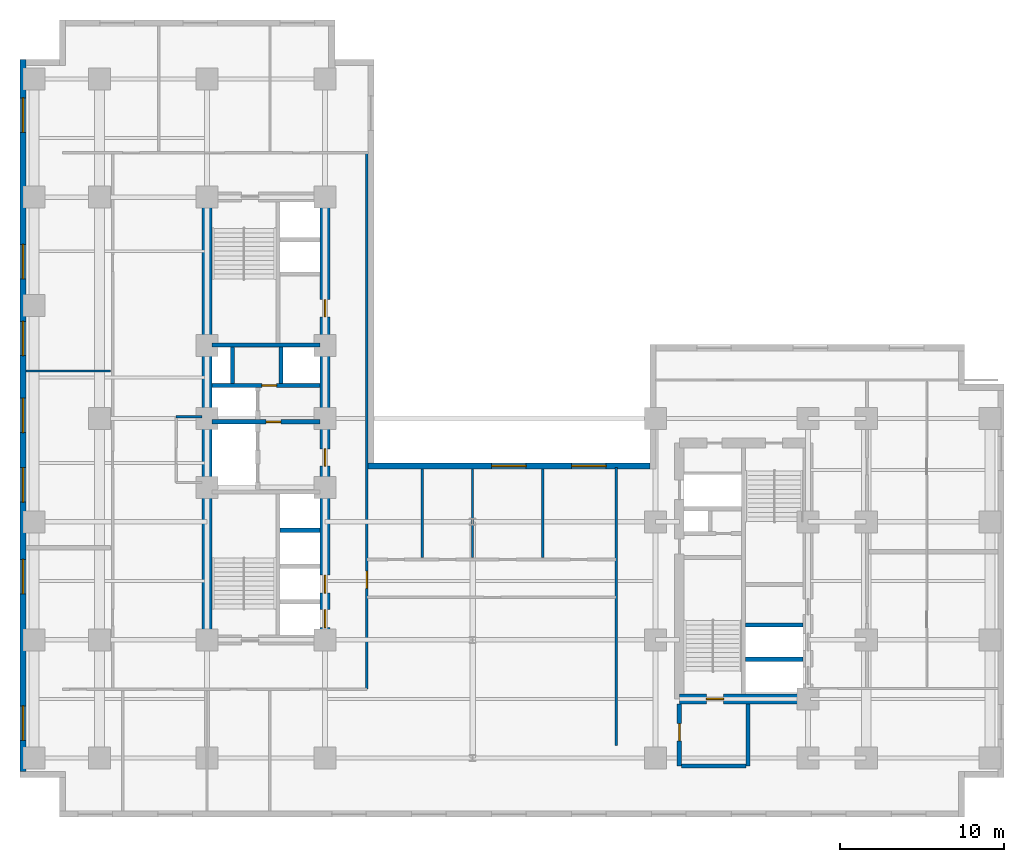
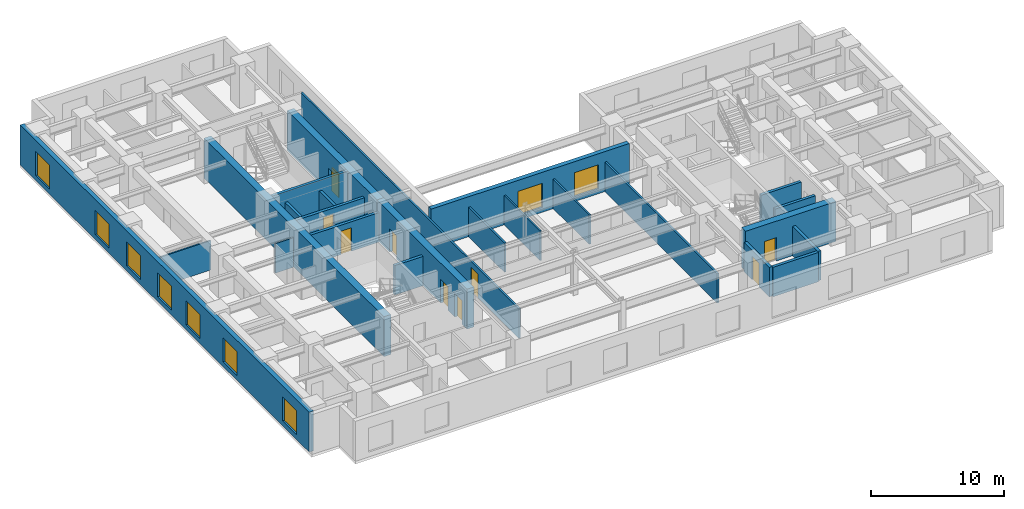
# One storey, part 4 of 9: 24 walls, 9 doors, 9 windows, 18 openings.
"""IFC4 building model written with IfcOpenShell, lengths in metres."""

from ifc_helpers import new_model, entity, si_unit, converted_unit, direction, frame, origin_with_axes, origin_2d_with_axis, place, context, subcontext, project, spatial, polyline, rectangle, outline, extrude, material, layer, layer_set, type_object, element, fill, save


model = new_model("IFC4")

# Units and contexts
model_context = context("Model", 3, precision=1e-05, world=origin_with_axes(), true_north=direction((0.0, 1.0)))
body_context = subcontext(model_context, "Body", "Model", "MODEL_VIEW")
ifc_project = project(units=[si_unit("LENGTHUNIT", "METRE"), si_unit("AREAUNIT", "SQUARE_METRE"), si_unit("VOLUMEUNIT", "CUBIC_METRE"), converted_unit("PLANEANGLEUNIT", "DEGREE", entity("IfcPlaneAngleMeasure", 0.017453292519943295), si_unit("PLANEANGLEUNIT", "RADIAN"), dimensions=[0, 0, 0, 0, 0, 0, 0]), si_unit("MASSUNIT", "GRAM", prefix="KILO"), si_unit("THERMODYNAMICTEMPERATUREUNIT", "KELVIN")], contexts=[model_context])

# Site, building, storey
site_placement = place(None, origin_with_axes())
site = spatial("IfcSite", under=ifc_project, at=site_placement, CompositionType="ELEMENT")
building_placement = place(site_placement, origin_with_axes())
building = spatial("IfcBuilding", under=site, at=building_placement, Name="Varnlund Millrace Tower", CompositionType="ELEMENT")
storey_placement = place(building_placement, frame((0.0, 0.0, 71.7), z_axis=(0.0, 0.0, 1.0), x_axis=(1.0, 0.0, 0.0)))
storey = spatial("IfcBuildingStorey", under=building, at=storey_placement, Name="L17", CompositionType="ELEMENT", Elevation=71.7)

# Wall
ifc_material_1 = material(Name="Concrete C80/95", Category="concrete")
ifc_layer_1 = layer(ifc_material_1, 0.6, Name="Concrete C80/95")
ifc_layer_set_1 = layer_set([ifc_layer_1], Name="Concrete C80/95")
wall_type_1 = type_object("IfcWallType", Name="Type-CoreWall-Shear-600-C80", PredefinedType="SHEAR", material=ifc_layer_set_1)
wall_1_placement = place(storey_placement, frame((11.4, 10.8, 0.0), z_axis=(0.0, 0.0, 1.0), x_axis=(0.0, 1.0, 0.0)))
element("IfcWall", 1, at=wall_1_placement, inside=storey, type_object=wall_type_1, Name="Type-CoreWall-Shear-600-C80", PredefinedType="SHEAR", context=body_context, shape_type="SweptSolid", body=[
    extrude(outline(polyline([(0.0, -0.3), (27.0, -0.3), (27.0, 0.3), (0.0, 0.3), (0.0, -0.3)])), origin_with_axes(), (0.0, 0.0, 1.0), 3.66),
])

# Wall, openings, doors
wall_2_placement = place(storey_placement, frame((18.6, 10.8, 0.0), z_axis=(0.0, 0.0, 1.0), x_axis=(0.0, 1.0, 0.0)))
wall_2 = element("IfcWall", 2, at=wall_2_placement, inside=storey, type_object=wall_type_1, Name="Type-CoreWall-Shear-600-C80", PredefinedType="SHEAR", context=body_context, shape_type="SweptSolid", body=[
    extrude(outline(polyline([(0.0, -0.3), (13.5, -0.3), (13.5, 0.3), (0.0, 0.3), (0.0, -0.3)])), origin_with_axes(), (0.0, 0.0, 1.0), 3.66),
])
opening_1_placement = place(wall_2_placement, frame((1.3, 0.0, 0.0), z_axis=(0.0, 0.0, 1.0), x_axis=(1.0, 0.0, 0.0)))
opening_1 = element("IfcOpeningElement", 3, at=opening_1_placement, cuts=wall_2, Name="Opening L17:LD-ELV-L1", PredefinedType="OPENING", context=body_context, shape_type="SweptSolid", body=[
    extrude(rectangle(XDim=1.1, YDim=0.62, at=origin_2d_with_axis()), origin_with_axes(), (0.0, 0.0, 1.0), 2.15),
])
opening_2_placement = place(wall_2_placement, frame((3.4, 0.0, 0.0), z_axis=(0.0, 0.0, 1.0), x_axis=(1.0, 0.0, 0.0)))
opening_2 = element("IfcOpeningElement", 4, at=opening_2_placement, cuts=wall_2, Name="Opening L17:LD-ELV-L2", PredefinedType="OPENING", context=body_context, shape_type="SweptSolid", body=[
    extrude(rectangle(XDim=1.1, YDim=0.62, at=origin_2d_with_axis()), origin_with_axes(), (0.0, 0.0, 1.0), 2.15),
])
opening_3_placement = place(wall_2_placement, frame((11.125, 0.0, 0.0), z_axis=(0.0, 0.0, 1.0), x_axis=(1.0, 0.0, 0.0)))
opening_3 = element("IfcOpeningElement", 5, at=opening_3_placement, cuts=wall_2, Name="Opening L17:DR-FFLOB-A", PredefinedType="OPENING", context=body_context, shape_type="SweptSolid", body=[
    extrude(rectangle(XDim=1.05, YDim=0.62, at=origin_2d_with_axis()), origin_with_axes(), (0.0, 0.0, 1.0), 2.15),
])
ifc_material_2 = material(Name="Smoke-barrier hollow steel fire door", Category="steel")
door_type_1 = type_object("IfcDoorType", Name="Type-FireDoor-Lobby-1050X2150", OperationType="NOTDEFINED", PredefinedType="DOOR", material=ifc_material_2)
door_1_placement = place(wall_2_placement, frame((11.125, 0.0, 0.0), z_axis=(0.0, 0.0, 1.0), x_axis=(1.0, 0.0, 0.0)))
door_1 = element("IfcDoor", 6, at=door_1_placement, inside=storey, type_object=door_type_1, Name="Type-FireDoor-Lobby-1050X2150", OperationType="SINGLE_SWING_LEFT", OverallHeight=2.15, OverallWidth=1.05, PredefinedType="DOOR", context=body_context, shape_type="SweptSolid", body=[
    extrude(rectangle(XDim=1.05, YDim=0.09, at=origin_2d_with_axis()), origin_with_axes(), (0.0, 0.0, 1.0), 2.15),
])
fill(opening_3, door_1)
ifc_material_3 = material(Name="Stainless and architectural bronze sliding landing door")
door_type_2 = type_object("IfcDoorType", Name="Type-LiftLandingDoor-1100X2150", OperationType="NOTDEFINED", PredefinedType="DOOR", material=ifc_material_3)
door_2_placement = place(wall_2_placement, frame((1.3, 0.0, 0.0), z_axis=(0.0, 0.0, 1.0), x_axis=(1.0, 0.0, 0.0)))
door_2 = element("IfcDoor", 7, at=door_2_placement, inside=storey, type_object=door_type_2, Name="Type-LiftLandingDoor-1100X2150", OperationType="SLIDING_TO_LEFT", OverallHeight=2.15, OverallWidth=1.1, PredefinedType="DOOR", context=body_context, shape_type="SweptSolid", body=[
    extrude(rectangle(XDim=1.1, YDim=0.09, at=origin_2d_with_axis()), origin_with_axes(), (0.0, 0.0, 1.0), 2.15),
])
fill(opening_1, door_2)
door_3_placement = place(wall_2_placement, frame((3.4, 0.0, 0.0), z_axis=(0.0, 0.0, 1.0), x_axis=(1.0, 0.0, 0.0)))
door_3 = element("IfcDoor", 8, at=door_3_placement, inside=storey, type_object=door_type_2, Name="Type-LiftLandingDoor-1100X2150", OperationType="SLIDING_TO_RIGHT", OverallHeight=2.15, OverallWidth=1.1, PredefinedType="DOOR", context=body_context, shape_type="SweptSolid", body=[
    extrude(rectangle(XDim=1.1, YDim=0.09, at=origin_2d_with_axis()), origin_with_axes(), (0.0, 0.0, 1.0), 2.15),
])
fill(opening_2, door_3)

# Wall, opening, door
wall_3_placement = place(storey_placement, frame((18.6, 24.3, 0.0), z_axis=(0.0, 0.0, 1.0), x_axis=(0.0, 1.0, 0.0)))
wall_3 = element("IfcWall", 9, at=wall_3_placement, inside=storey, type_object=wall_type_1, Name="Type-CoreWall-Shear-600-C80", PredefinedType="SHEAR", context=body_context, shape_type="SweptSolid", body=[
    extrude(outline(polyline([(0.0, -0.3), (13.5, -0.3), (13.5, 0.3), (0.0, 0.3), (0.0, -0.3)])), origin_with_axes(), (0.0, 0.0, 1.0), 3.66),
])
opening_4_placement = place(wall_3_placement, frame((6.725, 0.0, 0.0), z_axis=(0.0, 0.0, 1.0), x_axis=(1.0, 0.0, 0.0)))
opening_4 = element("IfcOpeningElement", 10, at=opening_4_placement, cuts=wall_3, Name="Opening L17:DR-CA-WC1", PredefinedType="OPENING", context=body_context, shape_type="SweptSolid", body=[
    extrude(rectangle(XDim=1.05, YDim=0.62, at=origin_2d_with_axis()), origin_with_axes(), (0.0, 0.0, 1.0), 2.15),
])
door_4_placement = place(wall_3_placement, frame((6.725, 0.0, 0.0), z_axis=(0.0, 0.0, 1.0), x_axis=(1.0, 0.0, 0.0)))
door_4 = element("IfcDoor", 11, at=door_4_placement, inside=storey, type_object=door_type_1, Name="Type-FireDoor-Lobby-1050X2150", OperationType="SINGLE_SWING_LEFT", OverallHeight=2.15, OverallWidth=1.05, PredefinedType="DOOR", context=body_context, shape_type="SweptSolid", body=[
    extrude(rectangle(XDim=1.05, YDim=0.09, at=origin_2d_with_axis()), origin_with_axes(), (0.0, 0.0, 1.0), 2.15),
])
fill(opening_4, door_4)

wall_4_placement = place(storey_placement, frame((40.2, 7.2, 0.0), z_axis=(0.0, 0.0, 1.0), x_axis=(1.0, 0.0, 0.0)))
wall_4 = element("IfcWall", 12, at=wall_4_placement, inside=storey, type_object=wall_type_1, Name="Type-CoreWall-Shear-600-C80", PredefinedType="SHEAR", context=body_context, shape_type="SweptSolid", body=[
    extrude(outline(polyline([(0.0, -0.3), (7.85, -0.3), (7.85, 0.3), (0.0, 0.3), (0.0, -0.3)])), origin_with_axes(), (0.0, 0.0, 1.0), 3.66),
])
opening_5_placement = place(wall_4_placement, frame((2.175, 0.0, 0.0), z_axis=(0.0, 0.0, 1.0), x_axis=(1.0, 0.0, 0.0)))
opening_5 = element("IfcOpeningElement", 13, at=opening_5_placement, cuts=wall_4, Name="Opening L17:DR-STB1", PredefinedType="OPENING", context=body_context, shape_type="SweptSolid", body=[
    extrude(rectangle(XDim=1.05, YDim=0.62, at=origin_2d_with_axis()), origin_with_axes(), (0.0, 0.0, 1.0), 2.15),
])
ifc_material_4 = material(Name="Fire-rated hollow steel door", Category="steel")
door_type_3 = type_object("IfcDoorType", Name="Type-FireDoor-Stair-1050X2150", OperationType="NOTDEFINED", PredefinedType="DOOR", material=ifc_material_4)
door_5_placement = place(wall_4_placement, frame((2.175, 0.0, 0.0), z_axis=(0.0, 0.0, 1.0), x_axis=(1.0, 0.0, 0.0)))
door_5 = element("IfcDoor", 14, at=door_5_placement, inside=storey, type_object=door_type_3, Name="Type-FireDoor-Stair-1050X2150", OperationType="SINGLE_SWING_LEFT", OverallHeight=2.15, OverallWidth=1.05, PredefinedType="DOOR", context=body_context, shape_type="SweptSolid", body=[
    extrude(rectangle(XDim=1.05, YDim=0.09, at=origin_2d_with_axis()), origin_with_axes(), (0.0, 0.0, 1.0), 2.15),
])
fill(opening_5, door_5)

# Wall, openings, windows
ifc_material_5 = material(Name="Precast concrete C50/60", Category="concrete")
ifc_layer_2 = layer(ifc_material_5, 0.38, Name="Precast concrete C50/60")
ifc_layer_set_2 = layer_set([ifc_layer_2], Name="Precast concrete C50/60")
wall_type_2 = type_object("IfcWallType", Name="Type-ExtWall-Precast-Tube-380", PredefinedType="SOLIDWALL", material=ifc_layer_set_2)
wall_5_placement = place(storey_placement, frame((0.19, 2.78, 0.0), z_axis=(0.0, 0.0, 1.0), x_axis=(0.0, 1.0, 0.0)))
wall_5 = element("IfcWall", 15, at=wall_5_placement, inside=storey, type_object=wall_type_2, Name="Type-ExtWall-Precast-Tube-380", PredefinedType="SOLIDWALL", context=body_context, shape_type="SweptSolid", body=[
    extrude(outline(polyline([(0.0, -0.19), (43.42, -0.19), (43.42, 0.19), (0.0, 0.19), (0.0, -0.19)])), origin_with_axes(), (0.0, 0.0, 1.0), 3.66),
])
opening_6_placement = place(wall_5_placement, frame((2.946, 0.0, 0.45), z_axis=(0.0, 0.0, 1.0), x_axis=(1.0, 0.0, 0.0)))
opening_6 = element("IfcOpeningElement", 16, at=opening_6_placement, cuts=wall_5, Name="Opening L17:WN-16", PredefinedType="OPENING", context=body_context, shape_type="SweptSolid", body=[
    extrude(rectangle(XDim=2.1, YDim=0.4, at=origin_2d_with_axis()), origin_with_axes(), (0.0, 0.0, 1.0), 2.2),
])
opening_7_placement = place(wall_5_placement, frame((11.878, 0.0, 0.45), z_axis=(0.0, 0.0, 1.0), x_axis=(1.0, 0.0, 0.0)))
opening_7 = element("IfcOpeningElement", 17, at=opening_7_placement, cuts=wall_5, Name="Opening L17:WN-17", PredefinedType="OPENING", context=body_context, shape_type="SweptSolid", body=[
    extrude(rectangle(XDim=2.1, YDim=0.4, at=origin_2d_with_axis()), origin_with_axes(), (0.0, 0.0, 1.0), 2.2),
])
opening_8_placement = place(wall_5_placement, frame((17.469, 0.0, 0.45), z_axis=(0.0, 0.0, 1.0), x_axis=(1.0, 0.0, 0.0)))
opening_8 = element("IfcOpeningElement", 18, at=opening_8_placement, cuts=wall_5, Name="Opening L17:WN-18", PredefinedType="OPENING", context=body_context, shape_type="SweptSolid", body=[
    extrude(rectangle(XDim=2.1, YDim=0.4, at=origin_2d_with_axis()), origin_with_axes(), (0.0, 0.0, 1.0), 2.2),
])
opening_9_placement = place(wall_5_placement, frame((21.71, 0.0, 0.45), z_axis=(0.0, 0.0, 1.0), x_axis=(1.0, 0.0, 0.0)))
opening_9 = element("IfcOpeningElement", 19, at=opening_9_placement, cuts=wall_5, Name="Opening L17:WN-19", PredefinedType="OPENING", context=body_context, shape_type="SweptSolid", body=[
    extrude(rectangle(XDim=2.1, YDim=0.4, at=origin_2d_with_axis()), origin_with_axes(), (0.0, 0.0, 1.0), 2.2),
])
opening_10_placement = place(wall_5_placement, frame((26.401, 0.0, 0.45), z_axis=(0.0, 0.0, 1.0), x_axis=(1.0, 0.0, 0.0)))
opening_10 = element("IfcOpeningElement", 20, at=opening_10_placement, cuts=wall_5, Name="Opening L17:WN-20", PredefinedType="OPENING", context=body_context, shape_type="SweptSolid", body=[
    extrude(rectangle(XDim=2.1, YDim=0.4, at=origin_2d_with_axis()), origin_with_axes(), (0.0, 0.0, 1.0), 2.2),
])
opening_11_placement = place(wall_5_placement, frame((31.092, 0.0, 0.45), z_axis=(0.0, 0.0, 1.0), x_axis=(1.0, 0.0, 0.0)))
opening_11 = element("IfcOpeningElement", 21, at=opening_11_placement, cuts=wall_5, Name="Opening L17:WN-21", PredefinedType="OPENING", context=body_context, shape_type="SweptSolid", body=[
    extrude(rectangle(XDim=2.1, YDim=0.4, at=origin_2d_with_axis()), origin_with_axes(), (0.0, 0.0, 1.0), 2.2),
])
opening_12_placement = place(wall_5_placement, frame((40.024, 0.0, 0.45), z_axis=(0.0, 0.0, 1.0), x_axis=(1.0, 0.0, 0.0)))
opening_12 = element("IfcOpeningElement", 22, at=opening_12_placement, cuts=wall_5, Name="Opening L17:WN-22", PredefinedType="OPENING", context=body_context, shape_type="SweptSolid", body=[
    extrude(rectangle(XDim=2.1, YDim=0.4, at=origin_2d_with_axis()), origin_with_axes(), (0.0, 0.0, 1.0), 2.2),
])
ifc_material_6 = material(Name="Argon low-e triple glazing in thermally broken bronze frame", Category="glass")
window_type = type_object("IfcWindowType", Name="Type-Window-Punched-2100X2200", PartitioningType="SINGLE_PANEL", PredefinedType="WINDOW", material=ifc_material_6)
window_1_placement = place(wall_5_placement, frame((2.946, 0.0, 0.45), z_axis=(0.0, 0.0, 1.0), x_axis=(1.0, 0.0, 0.0)))
window_1 = element("IfcWindow", 23, at=window_1_placement, inside=storey, type_object=window_type, Name="Type-Window-Punched-2100X2200", OverallHeight=2.2, OverallWidth=2.1, PredefinedType="WINDOW", context=body_context, shape_type="SweptSolid", body=[
    extrude(rectangle(XDim=2.1, YDim=0.09, at=origin_2d_with_axis()), origin_with_axes(), (0.0, 0.0, 1.0), 2.2),
])
fill(opening_6, window_1)
window_2_placement = place(wall_5_placement, frame((11.878, 0.0, 0.45), z_axis=(0.0, 0.0, 1.0), x_axis=(1.0, 0.0, 0.0)))
window_2 = element("IfcWindow", 24, at=window_2_placement, inside=storey, type_object=window_type, Name="Type-Window-Punched-2100X2200", OverallHeight=2.2, OverallWidth=2.1, PredefinedType="WINDOW", context=body_context, shape_type="SweptSolid", body=[
    extrude(rectangle(XDim=2.1, YDim=0.09, at=origin_2d_with_axis()), origin_with_axes(), (0.0, 0.0, 1.0), 2.2),
])
fill(opening_7, window_2)
window_3_placement = place(wall_5_placement, frame((17.469, 0.0, 0.45), z_axis=(0.0, 0.0, 1.0), x_axis=(1.0, 0.0, 0.0)))
window_3 = element("IfcWindow", 25, at=window_3_placement, inside=storey, type_object=window_type, Name="Type-Window-Punched-2100X2200", OverallHeight=2.2, OverallWidth=2.1, PredefinedType="WINDOW", context=body_context, shape_type="SweptSolid", body=[
    extrude(rectangle(XDim=2.1, YDim=0.09, at=origin_2d_with_axis()), origin_with_axes(), (0.0, 0.0, 1.0), 2.2),
])
fill(opening_8, window_3)
window_4_placement = place(wall_5_placement, frame((21.71, 0.0, 0.45), z_axis=(0.0, 0.0, 1.0), x_axis=(1.0, 0.0, 0.0)))
window_4 = element("IfcWindow", 26, at=window_4_placement, inside=storey, type_object=window_type, Name="Type-Window-Punched-2100X2200", OverallHeight=2.2, OverallWidth=2.1, PredefinedType="WINDOW", context=body_context, shape_type="SweptSolid", body=[
    extrude(rectangle(XDim=2.1, YDim=0.09, at=origin_2d_with_axis()), origin_with_axes(), (0.0, 0.0, 1.0), 2.2),
])
fill(opening_9, window_4)
window_5_placement = place(wall_5_placement, frame((26.401, 0.0, 0.45), z_axis=(0.0, 0.0, 1.0), x_axis=(1.0, 0.0, 0.0)))
window_5 = element("IfcWindow", 27, at=window_5_placement, inside=storey, type_object=window_type, Name="Type-Window-Punched-2100X2200", OverallHeight=2.2, OverallWidth=2.1, PredefinedType="WINDOW", context=body_context, shape_type="SweptSolid", body=[
    extrude(rectangle(XDim=2.1, YDim=0.09, at=origin_2d_with_axis()), origin_with_axes(), (0.0, 0.0, 1.0), 2.2),
])
fill(opening_10, window_5)
window_6_placement = place(wall_5_placement, frame((31.092, 0.0, 0.45), z_axis=(0.0, 0.0, 1.0), x_axis=(1.0, 0.0, 0.0)))
window_6 = element("IfcWindow", 28, at=window_6_placement, inside=storey, type_object=window_type, Name="Type-Window-Punched-2100X2200", OverallHeight=2.2, OverallWidth=2.1, PredefinedType="WINDOW", context=body_context, shape_type="SweptSolid", body=[
    extrude(rectangle(XDim=2.1, YDim=0.09, at=origin_2d_with_axis()), origin_with_axes(), (0.0, 0.0, 1.0), 2.2),
])
fill(opening_11, window_6)
window_7_placement = place(wall_5_placement, frame((40.024, 0.0, 0.45), z_axis=(0.0, 0.0, 1.0), x_axis=(1.0, 0.0, 0.0)))
window_7 = element("IfcWindow", 29, at=window_7_placement, inside=storey, type_object=window_type, Name="Type-Window-Punched-2100X2200", OverallHeight=2.2, OverallWidth=2.1, PredefinedType="WINDOW", context=body_context, shape_type="SweptSolid", body=[
    extrude(rectangle(XDim=2.1, YDim=0.09, at=origin_2d_with_axis()), origin_with_axes(), (0.0, 0.0, 1.0), 2.2),
])
fill(opening_12, window_7)

wall_6_placement = place(storey_placement, frame((21.22, 21.41, 0.0), z_axis=(0.0, 0.0, 1.0), x_axis=(1.0, 0.0, 0.0)))
wall_6 = element("IfcWall", 30, at=wall_6_placement, inside=storey, type_object=wall_type_2, Name="Type-ExtWall-Precast-Tube-380", PredefinedType="SOLIDWALL", context=body_context, shape_type="SweptSolid", body=[
    extrude(outline(polyline([(0.0, -0.19), (17.18, -0.19), (17.18, 0.19), (0.0, 0.19), (0.0, -0.19)])), origin_with_axes(), (0.0, 0.0, 1.0), 3.66),
])
opening_13_placement = place(wall_6_placement, frame((8.59, 0.0, 0.45), z_axis=(0.0, 0.0, 1.0), x_axis=(1.0, 0.0, 0.0)))
opening_13 = element("IfcOpeningElement", 31, at=opening_13_placement, cuts=wall_6, Name="Opening L17:WN-27", PredefinedType="OPENING", context=body_context, shape_type="SweptSolid", body=[
    extrude(rectangle(XDim=2.1, YDim=0.4, at=origin_2d_with_axis()), origin_with_axes(), (0.0, 0.0, 1.0), 2.2),
])
opening_14_placement = place(wall_6_placement, frame((13.467, 0.0, 0.45), z_axis=(0.0, 0.0, 1.0), x_axis=(1.0, 0.0, 0.0)))
opening_14 = element("IfcOpeningElement", 32, at=opening_14_placement, cuts=wall_6, Name="Opening L17:WN-28", PredefinedType="OPENING", context=body_context, shape_type="SweptSolid", body=[
    extrude(rectangle(XDim=2.1, YDim=0.4, at=origin_2d_with_axis()), origin_with_axes(), (0.0, 0.0, 1.0), 2.2),
])
window_8_placement = place(wall_6_placement, frame((8.59, 0.0, 0.45), z_axis=(0.0, 0.0, 1.0), x_axis=(1.0, 0.0, 0.0)))
window_8 = element("IfcWindow", 33, at=window_8_placement, inside=storey, type_object=window_type, Name="Type-Window-Punched-2100X2200", OverallHeight=2.2, OverallWidth=2.1, PredefinedType="WINDOW", context=body_context, shape_type="SweptSolid", body=[
    extrude(rectangle(XDim=2.1, YDim=0.09, at=origin_2d_with_axis()), origin_with_axes(), (0.0, 0.0, 1.0), 2.2),
])
fill(opening_13, window_8)
window_9_placement = place(wall_6_placement, frame((13.467, 0.0, 0.45), z_axis=(0.0, 0.0, 1.0), x_axis=(1.0, 0.0, 0.0)))
window_9 = element("IfcWindow", 34, at=window_9_placement, inside=storey, type_object=window_type, Name="Type-Window-Punched-2100X2200", OverallHeight=2.2, OverallWidth=2.1, PredefinedType="WINDOW", context=body_context, shape_type="SweptSolid", body=[
    extrude(rectangle(XDim=2.1, YDim=0.09, at=origin_2d_with_axis()), origin_with_axes(), (0.0, 0.0, 1.0), 2.2),
])
fill(opening_14, window_9)

# Wall, opening, door
ifc_material_7 = material(Name="Fire-rated gypsum board on cold-formed steel framing", Category="steel")
ifc_layer_3 = layer(ifc_material_7, 0.16, Name="Fire-rated gypsum board on cold-formed steel framing")
ifc_layer_set_3 = layer_set([ifc_layer_3], Name="Fire-rated gypsum board on cold-formed steel framing")
wall_type_3 = type_object("IfcWallType", Name="Type-Partition-Corridor-160", PredefinedType="PARTITIONING", material=ifc_layer_set_3)
wall_7_placement = place(storey_placement, frame((21.15, 7.8, 0.0), z_axis=(0.0, 0.0, 1.0), x_axis=(0.0, 1.0, 0.0)))
wall_7 = element("IfcWall", 35, at=wall_7_placement, inside=storey, type_object=wall_type_3, Name="Type-Partition-Corridor-160", PredefinedType="PARTITIONING", context=body_context, shape_type="SweptSolid", body=[
    extrude(outline(polyline([(0.0, -0.08), (32.7, -0.08), (32.7, 0.08), (0.0, 0.08), (0.0, -0.08)])), origin_with_axes(), (0.0, 0.0, 1.0), 2.7),
])
opening_15_placement = place(wall_7_placement, frame((6.675, 0.0, 0.0), z_axis=(0.0, 0.0, 1.0), x_axis=(1.0, 0.0, 0.0)))
opening_15 = element("IfcOpeningElement", 36, at=opening_15_placement, cuts=wall_7, Name="Opening L17:DR-KN-W", PredefinedType="OPENING", context=body_context, shape_type="SweptSolid", body=[
    extrude(rectangle(XDim=1.05, YDim=0.18, at=origin_2d_with_axis()), origin_with_axes(), (0.0, 0.0, 1.0), 2.15),
])
door_6_placement = place(wall_7_placement, frame((6.675, 0.0, 0.0), z_axis=(0.0, 0.0, 1.0), x_axis=(1.0, 0.0, 0.0)))
door_6 = element("IfcDoor", 37, at=door_6_placement, inside=storey, type_object=door_type_1, Name="Type-FireDoor-Lobby-1050X2150", OperationType="SINGLE_SWING_LEFT", OverallHeight=2.15, OverallWidth=1.05, PredefinedType="DOOR", context=body_context, shape_type="SweptSolid", body=[
    extrude(rectangle(XDim=1.05, YDim=0.09, at=origin_2d_with_axis()), origin_with_axes(), (0.0, 0.0, 1.0), 2.15),
])
fill(opening_15, door_6)

# Walls
wall_8_placement = place(storey_placement, frame((36.35, 4.35, 0.0), z_axis=(0.0, 0.0, 1.0), x_axis=(0.0, 1.0, 0.0)))
element("IfcWall", 38, at=wall_8_placement, inside=storey, type_object=wall_type_3, Name="Type-Partition-Corridor-160", PredefinedType="PARTITIONING", context=body_context, shape_type="SweptSolid", body=[
    extrude(outline(polyline([(0.0, -0.08), (16.95, -0.08), (16.95, 0.08), (0.0, 0.08), (0.0, -0.08)])), origin_with_axes(), (0.0, 0.0, 1.0), 2.7),
])
ifc_material_8 = material(Name="Acoustic STC-50 gypsum board partition", Category="gypsum")
ifc_layer_4 = layer(ifc_material_8, 0.15, Name="Acoustic STC-50 gypsum board partition")
ifc_layer_set_4 = layer_set([ifc_layer_4], Name="Acoustic STC-50 gypsum board partition")
wall_type_4 = type_object("IfcWallType", Name="Type-Partition-Demising-150", PredefinedType="PARTITIONING", material=ifc_layer_set_4)
for number, where, z_axis, x_axis, name in (
    (39, (24.529, 15.82, 0.0), (0.0, 0.0, 1.0), (0.0, 1.0, 0.0), "Type-Partition-Demising-150"),
    (40, (31.865, 15.82, 0.0), (0.0, 0.0, 1.0), (0.0, 1.0, 0.0), "Type-Partition-Demising-150"),
):
    element("IfcWall", number, at=place(storey_placement, frame(where, z_axis=z_axis, x_axis=x_axis)), inside=storey, type_object=wall_type_4, Name=name, PredefinedType="PARTITIONING", context=body_context, shape_type="SweptSolid", body=[
        extrude(outline(polyline([(0.0, -0.075), (5.405, -0.075), (5.405, 0.075), (0.0, 0.075), (0.0, -0.075)])), origin_with_axes(), (0.0, 0.0, 1.0), 2.7),
    ])
ifc_material_9 = material(Name="Gypsum board tenant partition", Category="gypsum")
ifc_layer_5 = layer(ifc_material_9, 0.125, Name="Gypsum board tenant partition")
ifc_layer_set_5 = layer_set([ifc_layer_5], Name="Gypsum board tenant partition")
wall_type_5 = type_object("IfcWallType", Name="Type-Partition-Tenant-125", PredefinedType="PARTITIONING", material=ifc_layer_set_5)
wall_9_placement = place(storey_placement, frame((0.375, 27.188, 0.0), z_axis=(0.0, 0.0, 1.0), x_axis=(1.0, 0.0, 0.0)))
element("IfcWall", 41, at=wall_9_placement, inside=storey, type_object=wall_type_5, Name="Type-Partition-Tenant-125", PredefinedType="PARTITIONING", context=body_context, shape_type="SweptSolid", body=[
    extrude(outline(polyline([(0.0, -0.0625), (5.155, -0.0625), (5.155, 0.0625), (0.0, 0.0625), (0.0, -0.0625)])), origin_with_axes(), (0.0, 0.0, 1.0), 2.7),
])
wall_10_placement = place(storey_placement, frame((27.6, 15.82, 0.0), z_axis=(0.0, 0.0, 1.0), x_axis=(0.0, 1.0, 0.0)))
element("IfcWall", 42, at=wall_10_placement, inside=storey, type_object=wall_type_5, Name="Type-Partition-Tenant-125", PredefinedType="PARTITIONING", context=body_context, shape_type="SweptSolid", body=[
    extrude(outline(polyline([(0.0, -0.0625), (5.405, -0.0625), (5.405, 0.0625), (0.0, 0.0625), (0.0, -0.0625)])), origin_with_axes(), (0.0, 0.0, 1.0), 2.7),
])
ifc_material_10 = material(Name="Moisture-resistant gypsum restroom partition", Category="gypsum")
ifc_layer_6 = layer(ifc_material_10, 0.14, Name="Moisture-resistant gypsum restroom partition")
ifc_layer_set_6 = layer_set([ifc_layer_6], Name="Moisture-resistant gypsum restroom partition")
wall_type_6 = type_object("IfcWallType", Name="Type-Partition-Wet-140", PredefinedType="PARTITIONING", material=ifc_layer_set_6)
wall_11_placement = place(storey_placement, frame((9.52, 24.4, 0.0), z_axis=(0.0, 0.0, 1.0), x_axis=(1.0, 0.0, 0.0)))
element("IfcWall", 43, at=wall_11_placement, inside=storey, type_object=wall_type_6, Name="Type-Partition-Wet-140", PredefinedType="PARTITIONING", context=body_context, shape_type="SweptSolid", body=[
    extrude(outline(polyline([(0.0, -0.07), (1.58, -0.07), (1.58, 0.07), (0.0, 0.07), (0.0, -0.07)])), origin_with_axes(), (0.0, 0.0, 1.0), 2.7),
])

# Wall, opening, door
ifc_material_11 = material(Name="Concrete C60/75", Category="concrete")
ifc_layer_7 = layer(ifc_material_11, 0.25, Name="Concrete C60/75")
ifc_layer_set_7 = layer_set([ifc_layer_7], Name="Concrete C60/75")
wall_type_7 = type_object("IfcWallType", Name="Type-ShaftWall-Fire-250", PredefinedType="SOLIDWALL", material=ifc_layer_set_7)
wall_12_placement = place(storey_placement, frame((11.7, 24.1, 0.0), z_axis=(0.0, 0.0, 1.0), x_axis=(1.0, 0.0, 0.0)))
wall_12 = element("IfcWall", 44, at=wall_12_placement, inside=storey, type_object=wall_type_7, Name="Type-ShaftWall-Fire-250", PredefinedType="SOLIDWALL", context=body_context, shape_type="SweptSolid", body=[
    extrude(outline(polyline([(0.0, -0.125), (6.6, -0.125), (6.6, 0.125), (0.0, 0.125), (0.0, -0.125)])), origin_with_axes(), (0.0, 0.0, 1.0), 2.7),
])
opening_16_placement = place(wall_12_placement, frame((3.75, 0.0, 0.0), z_axis=(0.0, 0.0, 1.0), x_axis=(1.0, 0.0, 0.0)))
opening_16 = element("IfcOpeningElement", 45, at=opening_16_placement, cuts=wall_12, Name="Opening L17:DR-CA-SRV1", PredefinedType="OPENING", context=body_context, shape_type="SweptSolid", body=[
    extrude(rectangle(XDim=0.9, YDim=0.27, at=origin_2d_with_axis()), origin_with_axes(), (0.0, 0.0, 1.0), 2.15),
])
ifc_material_12 = material(Name="Fire-rated hollow steel service closet door", Category="steel")
door_type_4 = type_object("IfcDoorType", Name="Type-FireDoor-Closet-900X2150", OperationType="NOTDEFINED", PredefinedType="DOOR", material=ifc_material_12)
door_7_placement = place(wall_12_placement, frame((3.75, 0.0, 0.0), z_axis=(0.0, 0.0, 1.0), x_axis=(1.0, 0.0, 0.0)))
door_7 = element("IfcDoor", 46, at=door_7_placement, inside=storey, type_object=door_type_4, Name="Type-FireDoor-Closet-900X2150", OperationType="SINGLE_SWING_LEFT", OverallHeight=2.15, OverallWidth=0.9, PredefinedType="DOOR", context=body_context, shape_type="SweptSolid", body=[
    extrude(rectangle(XDim=0.9, YDim=0.09, at=origin_2d_with_axis()), origin_with_axes(), (0.0, 0.0, 1.0), 2.15),
])
fill(opening_16, door_7)

wall_13_placement = place(storey_placement, frame((11.7, 26.325, 0.0), z_axis=(0.0, 0.0, 1.0), x_axis=(1.0, 0.0, 0.0)))
wall_13 = element("IfcWall", 47, at=wall_13_placement, inside=storey, type_object=wall_type_7, Name="Type-ShaftWall-Fire-250", PredefinedType="SOLIDWALL", context=body_context, shape_type="SweptSolid", body=[
    extrude(outline(polyline([(0.0, -0.125), (6.6, -0.125), (6.6, 0.125), (0.0, 0.125), (0.0, -0.125)])), origin_with_axes(), (0.0, 0.0, 1.0), 2.7),
])
opening_17_placement = place(wall_13_placement, frame((3.5, 0.0, 0.0), z_axis=(0.0, 0.0, 1.0), x_axis=(1.0, 0.0, 0.0)))
opening_17 = element("IfcOpeningElement", 48, at=opening_17_placement, cuts=wall_13, Name="Opening L17:DR-CA-ELC", PredefinedType="OPENING", context=body_context, shape_type="SweptSolid", body=[
    extrude(rectangle(XDim=0.9, YDim=0.27, at=origin_2d_with_axis()), origin_with_axes(), (0.0, 0.0, 1.0), 2.15),
])
door_8_placement = place(wall_13_placement, frame((3.5, 0.0, 0.0), z_axis=(0.0, 0.0, 1.0), x_axis=(1.0, 0.0, 0.0)))
door_8 = element("IfcDoor", 49, at=door_8_placement, inside=storey, type_object=door_type_4, Name="Type-FireDoor-Closet-900X2150", OperationType="SINGLE_SWING_LEFT", OverallHeight=2.15, OverallWidth=0.9, PredefinedType="DOOR", context=body_context, shape_type="SweptSolid", body=[
    extrude(rectangle(XDim=0.9, YDim=0.09, at=origin_2d_with_axis()), origin_with_axes(), (0.0, 0.0, 1.0), 2.15),
])
fill(opening_17, door_8)

# Walls
for number, where, z_axis, x_axis, name in (
    (50, (12.96, 26.45, 0.0), (0.0, 0.0, 1.0), (0.0, 1.0, 0.0), "Type-ShaftWall-Fire-250"),
    (51, (15.925, 26.45, 0.0), (0.0, 0.0, 1.0), (0.0, 1.0, 0.0), "Type-ShaftWall-Fire-250"),
):
    element("IfcWall", number, at=place(storey_placement, frame(where, z_axis=z_axis, x_axis=x_axis)), inside=storey, type_object=wall_type_7, Name=name, PredefinedType="SOLIDWALL", context=body_context, shape_type="SweptSolid", body=[
        extrude(outline(polyline([(0.0, -0.125), (2.2, -0.125), (2.2, 0.125), (0.0, 0.125), (0.0, -0.125)])), origin_with_axes(), (0.0, 0.0, 1.0), 2.7),
    ])

# Wall, opening, door
wall_14_placement = place(storey_placement, frame((40.2, 3.1, 0.0), z_axis=(0.0, 0.0, 1.0), x_axis=(0.0, 1.0, 0.0)))
wall_14 = element("IfcWall", 52, at=wall_14_placement, inside=storey, type_object=wall_type_7, Name="Type-ShaftWall-Fire-250", PredefinedType="SOLIDWALL", context=body_context, shape_type="SweptSolid", body=[
    extrude(outline(polyline([(0.0, -0.125), (3.8, -0.125), (3.8, 0.125), (0.0, 0.125), (0.0, -0.125)])), origin_with_axes(), (0.0, 0.0, 1.0), 2.7),
])
opening_18_placement = place(wall_14_placement, frame((2.075, 0.0, 0.0), z_axis=(0.0, 0.0, 1.0), x_axis=(1.0, 0.0, 0.0)))
opening_18 = element("IfcOpeningElement", 53, at=opening_18_placement, cuts=wall_14, Name="Opening L17:DR-FFLOB-B", PredefinedType="OPENING", context=body_context, shape_type="SweptSolid", body=[
    extrude(rectangle(XDim=1.05, YDim=0.27, at=origin_2d_with_axis()), origin_with_axes(), (0.0, 0.0, 1.0), 2.15),
])
door_9_placement = place(wall_14_placement, frame((2.075, 0.0, 0.0), z_axis=(0.0, 0.0, 1.0), x_axis=(1.0, 0.0, 0.0)))
door_9 = element("IfcDoor", 54, at=door_9_placement, inside=storey, type_object=door_type_1, Name="Type-FireDoor-Lobby-1050X2150", OperationType="SINGLE_SWING_LEFT", OverallHeight=2.15, OverallWidth=1.05, PredefinedType="DOOR", context=body_context, shape_type="SweptSolid", body=[
    extrude(rectangle(XDim=1.05, YDim=0.09, at=origin_2d_with_axis()), origin_with_axes(), (0.0, 0.0, 1.0), 2.15),
])
fill(opening_18, door_9)

# Walls
wall_15_placement = place(storey_placement, frame((40.325, 3.1, 0.0), z_axis=(0.0, 0.0, 1.0), x_axis=(1.0, 0.0, 0.0)))
element("IfcWall", 55, at=wall_15_placement, inside=storey, type_object=wall_type_7, Name="Type-ShaftWall-Fire-250", PredefinedType="SOLIDWALL", context=body_context, shape_type="SweptSolid", body=[
    extrude(outline(polyline([(0.0, -0.125), (3.95, -0.125), (3.95, 0.125), (0.0, 0.125), (0.0, -0.125)])), origin_with_axes(), (0.0, 0.0, 1.0), 2.7),
])
wall_16_placement = place(storey_placement, frame((44.4, 3.1, 0.0), z_axis=(0.0, 0.0, 1.0), x_axis=(0.0, 1.0, 0.0)))
element("IfcWall", 56, at=wall_16_placement, inside=storey, type_object=wall_type_7, Name="Type-ShaftWall-Fire-250", PredefinedType="SOLIDWALL", context=body_context, shape_type="SweptSolid", body=[
    extrude(outline(polyline([(0.0, -0.125), (3.8, -0.125), (3.8, 0.125), (0.0, 0.125), (0.0, -0.125)])), origin_with_axes(), (0.0, 0.0, 1.0), 2.7),
])
wall_17_placement = place(storey_placement, frame((15.84, 17.49, 0.0), z_axis=(0.0, 0.0, 1.0), x_axis=(1.0, 0.0, 0.0)))
element("IfcWall", 57, at=wall_17_placement, inside=storey, type_object=wall_type_7, Name="Type-ShaftWall-Fire-250", PredefinedType="SOLIDWALL", context=body_context, shape_type="SweptSolid", body=[
    extrude(outline(polyline([(0.0, -0.125), (2.46, -0.125), (2.46, 0.125), (0.0, 0.125), (0.0, -0.125)])), origin_with_axes(), (0.0, 0.0, 1.0), 2.7),
])
for number, where, z_axis, x_axis, name in (
    (58, (44.25, 9.62, 0.0), (0.0, 0.0, 1.0), (1.0, 0.0, 0.0), "Type-ShaftWall-Fire-250"),
    (59, (44.25, 11.72, 0.0), (0.0, 0.0, 1.0), (1.0, 0.0, 0.0), "Type-ShaftWall-Fire-250"),
):
    element("IfcWall", number, at=place(storey_placement, frame(where, z_axis=z_axis, x_axis=x_axis)), inside=storey, type_object=wall_type_7, Name=name, PredefinedType="SOLIDWALL", context=body_context, shape_type="SweptSolid", body=[
        extrude(outline(polyline([(0.0, -0.125), (3.5, -0.125), (3.5, 0.125), (0.0, 0.125), (0.0, -0.125)])), origin_with_axes(), (0.0, 0.0, 1.0), 2.7),
    ])
wall_type_8 = type_object("IfcWallType", Name="Type-StairWall-Shear-250", PredefinedType="SHEAR", material=ifc_layer_set_7)
wall_18_placement = place(storey_placement, frame((11.7, 28.775, 0.0), z_axis=(0.0, 0.0, 1.0), x_axis=(1.0, 0.0, 0.0)))
element("IfcWall", 60, at=wall_18_placement, inside=storey, type_object=wall_type_8, Name="Type-StairWall-Shear-250", PredefinedType="SHEAR", context=body_context, shape_type="SweptSolid", body=[
    extrude(outline(polyline([(0.0, -0.125), (6.6, -0.125), (6.6, 0.125), (0.0, 0.125), (0.0, -0.125)])), origin_with_axes(), (0.0, 0.0, 1.0), 3.66),
])

save(model, "model.ifc")
